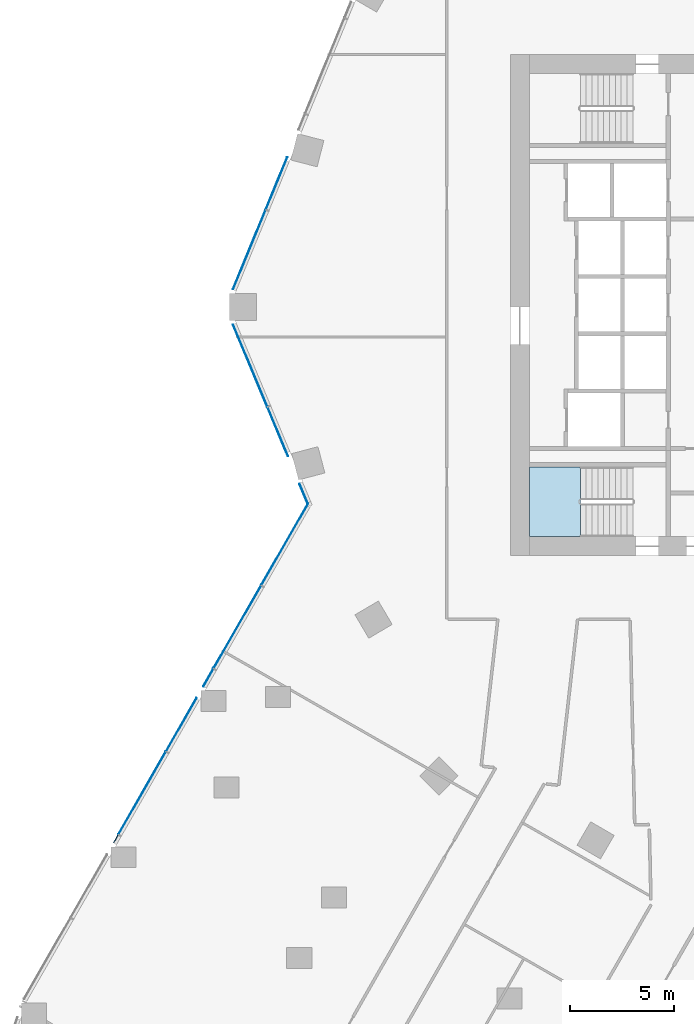
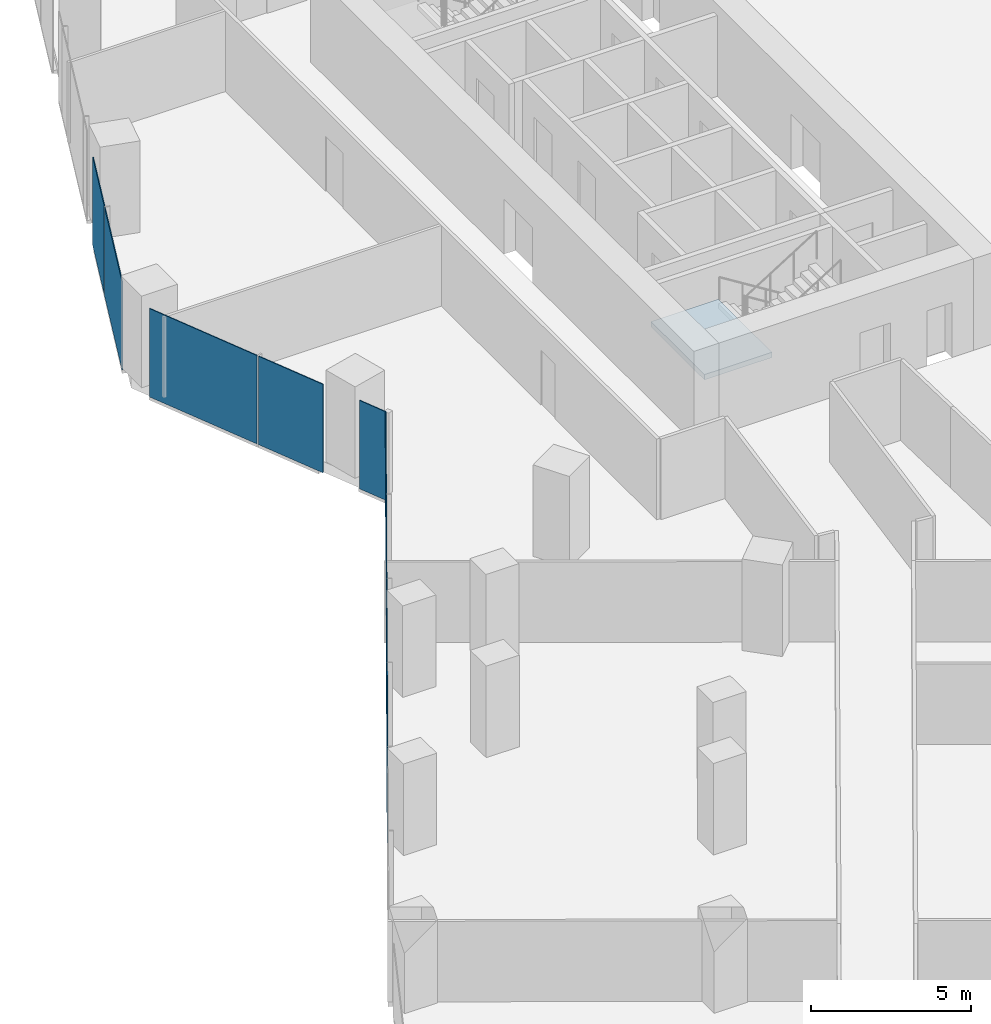
# One storey, part 20 of 34: 11 plates, 1 slab, 4 elements without a shape of their own.
"""IFC4 building model written with IfcOpenShell, lengths in metres."""

from ifc_helpers import new_model, si_unit, direction, frame, origin, origin_2d, place, context, subcontext, project, spatial, polyline, rectangle, outline, extrude, material, layer, layer_set, type_object, element, aggregate, save


model = new_model("IFC4")

# Units and contexts
model_context = context("Model", 3, precision=1e-05, world=origin(), true_north=direction((0.0, 1.0)))
body_context = subcontext(model_context, "Body", "Model", "MODEL_VIEW")
ifc_project = project(units=[si_unit("LENGTHUNIT", "METRE"), si_unit("AREAUNIT", "SQUARE_METRE"), si_unit("VOLUMEUNIT", "CUBIC_METRE"), si_unit("PLANEANGLEUNIT", "RADIAN"), si_unit("MASSUNIT", "GRAM", prefix="KILO")], contexts=[model_context])

# Site, building, storey
site_placement = place(None, origin())
site = spatial("IfcSite", under=ifc_project, at=site_placement, CompositionType="ELEMENT")
building_placement = place(site_placement, origin())
building = spatial("IfcBuilding", under=site, at=building_placement, Name="Orlundy Tower", CompositionType="ELEMENT")
storey_placement = place(building_placement, frame((0.0, 0.0, 109.199951171875)))
storey = spatial("IfcBuildingStorey", under=building, at=storey_placement, Name="L27", CompositionType="ELEMENT", Elevation=109.199951171875)

# Curtain wall, plates
ifc_material_1 = material(Name="Aluminium bronze anodised", Category="aluminium")
curtain_wall_type = type_object("IfcCurtainWallType", Name="CW1 wall", PredefinedType="NOTDEFINED", material=ifc_material_1)
curtain_wall_1_placement = place(storey_placement, origin())
curtain_wall_1 = element("IfcCurtainWall", 1, at=curtain_wall_1_placement, inside=storey, type_object=curtain_wall_type, Name="CW1 run 012", PredefinedType="NOTDEFINED")
ifc_material_2 = material(Name="Tinted glass", Category="glass")
ifc_layer_1 = layer(ifc_material_2, 0.031982421875)
ifc_layer_set_1 = layer_set([ifc_layer_1], Name="CW1 glass panel 32")
plate_type = type_object("IfcPlateType", Name="CW1 glass panel 32", PredefinedType="CURTAIN_PANEL", material=ifc_layer_set_1)
plate_1_placement = place(storey_placement, frame((-37.916259765625, -25.583984375, -0.27978515625), z_axis=(0.0, 0.0, 1.0), x_axis=(0.497468306172, 0.867482152182, 0.0)))
plate_1 = element("IfcPlate", 2, at=plate_1_placement, type_object=plate_type, Name="CW1 panel", PredefinedType="CURTAIN_PANEL", context=body_context, shape_type="SweptSolid", body=[
    extrude(rectangle(XDim=0.417236328125, YDim=0.031982421875, at=origin_2d()), origin(), (0.0, 0.0, 1.0), 3.3798828125),
])
plate_2_placement = place(storey_placement, frame((-36.65869140625, -23.39111328125, -0.27978515625), z_axis=(0.0, 0.0, 1.0), x_axis=(0.497468306172, 0.867482152182, 0.0)))
plate_2 = element("IfcPlate", 3, at=plate_2_placement, type_object=plate_type, Name="CW1 panel", PredefinedType="CURTAIN_PANEL", context=body_context, shape_type="SweptSolid", body=[
    extrude(rectangle(XDim=4.53857421875, YDim=0.031982421875, at=origin_2d()), origin(), (0.0, 0.0, 1.0), 3.3798828125),
])
plate_3_placement = place(storey_placement, frame((-34.775390625, -20.107177734375, -0.27978515625), z_axis=(0.0, 0.0, 1.0), x_axis=(0.497468306172, 0.867482152182, 0.0)))
plate_3 = element("IfcPlate", 4, at=plate_3_placement, type_object=plate_type, Name="CW1 panel", PredefinedType="CURTAIN_PANEL", context=body_context, shape_type="SweptSolid", body=[
    extrude(rectangle(XDim=2.9326171875, YDim=0.031982421875, at=origin_2d()), origin(), (0.0, 0.0, 1.0), 3.3798828125),
])
plate_4_placement = place(storey_placement, frame((-33.486083984375, -17.859130859375, -0.27978515625), z_axis=(0.0, 0.0, 1.0), x_axis=(0.497468306172, 0.867482152182, 0.0)))
plate_4 = element("IfcPlate", 5, at=plate_4_placement, type_object=plate_type, Name="CW1 panel", PredefinedType="CURTAIN_PANEL", context=body_context, shape_type="SweptSolid", body=[
    extrude(rectangle(XDim=0.961181640625, YDim=0.031982421875, at=origin_2d()), origin(), (0.0, 0.0, 1.0), 3.3798828125),
])
plate_5_placement = place(storey_placement, frame((-32.09326171875, -15.43017578125, -0.27978515625), z_axis=(0.0, 0.0, 1.0), x_axis=(0.497468306172, 0.867482152182, 0.0)))
plate_5 = element("IfcPlate", 6, at=plate_5_placement, type_object=plate_type, Name="CW1 panel", PredefinedType="CURTAIN_PANEL", context=body_context, shape_type="SweptSolid", body=[
    extrude(rectangle(XDim=4.53857421875, YDim=0.031982421875, at=origin_2d()), origin(), (0.0, 0.0, 1.0), 3.3798828125),
])
plate_6_placement = place(storey_placement, frame((-29.824462890625, -11.473876953125, -0.27978515625), z_axis=(0.0, 0.0, 1.0), x_axis=(0.497468306172, 0.867482152182, 0.0)))
plate_6 = element("IfcPlate", 7, at=plate_6_placement, type_object=plate_type, Name="CW1 panel", PredefinedType="CURTAIN_PANEL", context=body_context, shape_type="SweptSolid", body=[
    extrude(rectangle(XDim=4.482666015625, YDim=0.031982421875, at=origin_2d()), origin(), (0.0, 0.0, 1.0), 3.3798828125),
])
aggregate(curtain_wall_1, [plate_1, plate_2, plate_3, plate_4, plate_5, plate_6])

curtain_wall_2_placement = place(storey_placement, origin())
curtain_wall_2 = element("IfcCurtainWall", 8, at=curtain_wall_2_placement, inside=storey, type_object=curtain_wall_type, Name="CW1 run 013", PredefinedType="NOTDEFINED")
plate_7_placement = place(storey_placement, frame((-28.9091796875, -9.05126953125, -0.27978515625), z_axis=(0.0, 0.0, 1.0), x_axis=(-0.385343522299, 0.922773195223, 0.0)))
plate_7 = element("IfcPlate", 9, at=plate_7_placement, type_object=plate_type, Name="CW1 panel", PredefinedType="CURTAIN_PANEL", context=body_context, shape_type="SweptSolid", body=[
    extrude(rectangle(XDim=1.036865234375, YDim=0.031982421875, at=origin_2d()), origin(), (0.0, 0.0, 1.0), 3.3798828125),
])
plate_8_placement = place(storey_placement, frame((-30.1513671875, -6.07666015625, -0.27978515625), z_axis=(0.0, 0.0, 1.0), x_axis=(-0.385343522299, 0.922773195223, 0.0)))
plate_8 = element("IfcPlate", 10, at=plate_8_placement, type_object=plate_type, Name="CW1 panel", PredefinedType="CURTAIN_PANEL", context=body_context, shape_type="SweptSolid", body=[
    extrude(rectangle(XDim=2.542236328125, YDim=0.031982421875, at=origin_2d()), origin(), (0.0, 0.0, 1.0), 3.3798828125),
])
plate_9_placement = place(storey_placement, frame((-31.4775390625, -2.901123046875, -0.27978515625), z_axis=(0.0, 0.0, 1.0), x_axis=(-0.385343522299, 0.922773195223, 0.0)))
plate_9 = element("IfcPlate", 11, at=plate_9_placement, type_object=plate_type, Name="CW1 panel", PredefinedType="CURTAIN_PANEL", context=body_context, shape_type="SweptSolid", body=[
    extrude(rectangle(XDim=4.24072265625, YDim=0.031982421875, at=origin_2d()), origin(), (0.0, 0.0, 1.0), 3.3798828125),
])
aggregate(curtain_wall_2, [plate_7, plate_8, plate_9])

curtain_wall_3_placement = place(storey_placement, origin())
curtain_wall_3 = element("IfcCurtainWall", 12, at=curtain_wall_3_placement, inside=storey, type_object=curtain_wall_type, Name="CW1 run 014", PredefinedType="NOTDEFINED")
plate_10_placement = place(storey_placement, frame((-31.522216796875, 2.649169921875, -0.27978515625), z_axis=(0.0, 0.0, 1.0), x_axis=(0.380004927003, 0.924984462277, 0.0)))
plate_10 = element("IfcPlate", 13, at=plate_10_placement, type_object=plate_type, Name="CW1 panel", PredefinedType="CURTAIN_PANEL", context=body_context, shape_type="SweptSolid", body=[
    extrude(rectangle(XDim=4.09423828125, YDim=0.031982421875, at=origin_2d()), origin(), (0.0, 0.0, 1.0), 3.3798828125),
])
plate_11_placement = place(storey_placement, frame((-30.21337890625, 5.835205078125, -0.27978515625), z_axis=(0.0, 0.0, 1.0), x_axis=(0.380004927003, 0.924984462277, 0.0)))
plate_11 = element("IfcPlate", 14, at=plate_11_placement, type_object=plate_type, Name="CW1 panel", PredefinedType="CURTAIN_PANEL", context=body_context, shape_type="SweptSolid", body=[
    extrude(rectangle(XDim=2.694580078125, YDim=0.031982421875, at=origin_2d()), origin(), (0.0, 0.0, 1.0), 3.3798828125),
])
aggregate(curtain_wall_3, [plate_10, plate_11])

# Stair, slab
ifc_material_3 = material(Name="Concrete C50/60", Category="concrete")
stair_type = type_object("IfcStairType", Name="Exit Stair 20 risers", PredefinedType="HALF_TURN_STAIR", material=ifc_material_3)
stair_placement = place(storey_placement, origin())
stair = element("IfcStair", 15, at=stair_placement, inside=storey, type_object=stair_type, Name="L27 Exit Stair ST-W2", PredefinedType="HALF_TURN_STAIR")
ifc_material_4 = material(Name="Concrete C50/60", Category="concrete")
ifc_layer_2 = layer(ifc_material_4, 0.199951171875)
ifc_layer_set_2 = layer_set([ifc_layer_2], Name="Exit Stair Landing")
slab_type = type_object("IfcSlabType", Name="Exit Stair Landing", PredefinedType="LANDING", material=ifc_layer_set_2)
slab_placement = place(storey_placement, frame((0.0, 0.0, 1.550048828125)))
slab = element("IfcSlab", 16, at=slab_placement, type_object=slab_type, Name="ST-W2 landing 1", PredefinedType="LANDING", context=body_context, shape_type="SweptSolid", body=[
    extrude(outline(polyline([(-15.659912109375, -7.75), (-18.10009765625, -7.75), (-18.10009765625, -11.10009765625), (-15.659912109375, -11.10009765625), (-15.659912109375, -7.75)])), origin(), (0.0, 0.0, 1.0), 0.199951171875),
])
aggregate(stair, [slab])

save(model, "model.ifc")
